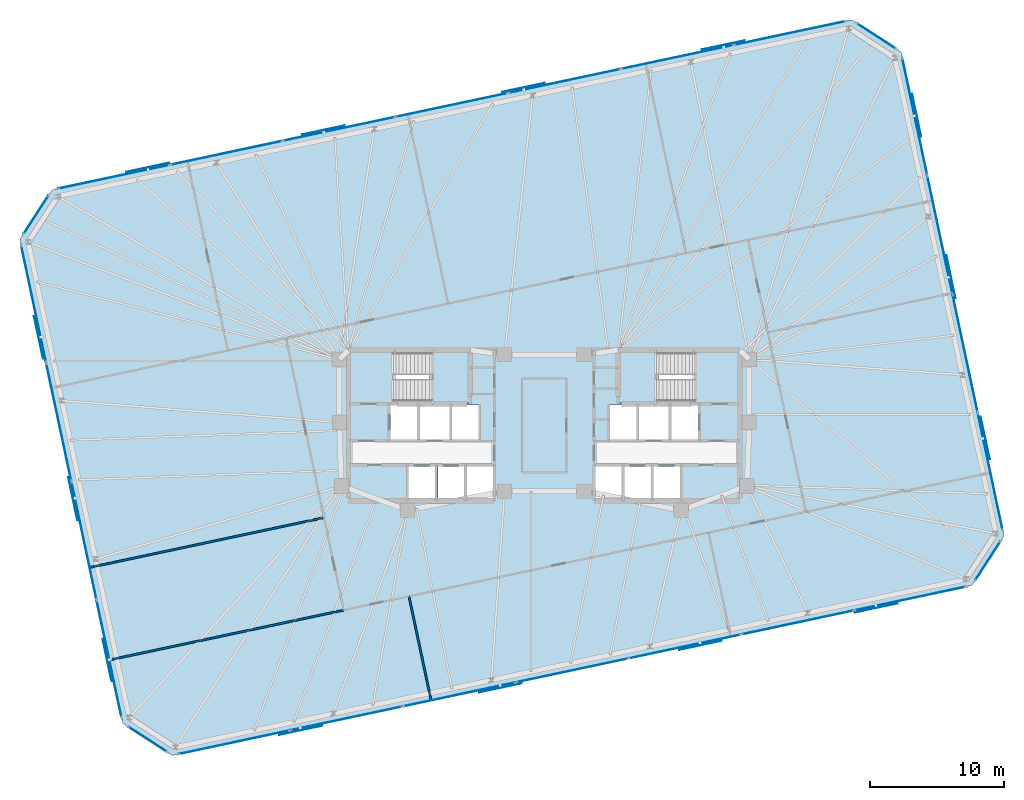
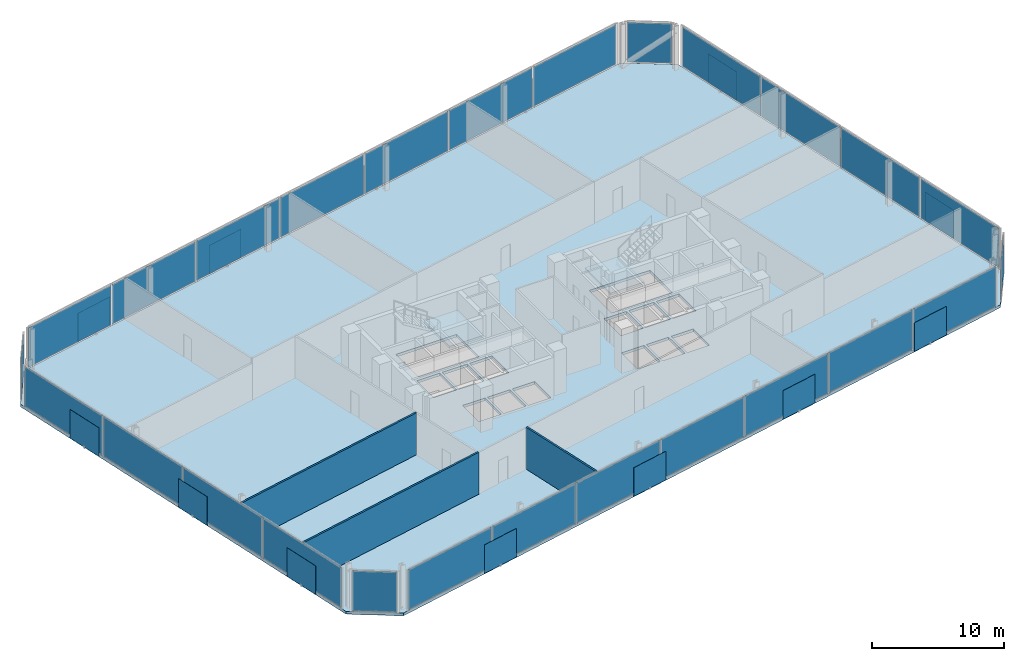
# One storey, part 10 of 15: 40 plates, 3 slabs, 3 walls, 10 elements without a shape of their own.
"""IFC4 building model written with IfcOpenShell, lengths in metres."""

import ifcopenshell
import ifcopenshell.guid

model = None  # the IFC model being written
_history = None  # IfcOwnerHistory: only IFC2X3 demands one
_inside = {}  # id of a spatial element -> (the spatial element, [elements in it])
_under = {}  # id of a project, library or spatial element -> (it, [spatial elements below it])
_declared = {}  # id of a project -> (the project, [libraries it declares])
_typed = {}  # id of a type object -> (the type object, [elements of that type])
_made_of = {}  # id of a material, layer set ... -> (it, [elements and type objects made of it])


def new_model(schema):
    """Start an empty IFC model of exactly this schema.

    Asked for "IFC4X3", IfcOpenShell would pick the latest addendum, in which some entities
    have other attributes; the version numbers below select the first issue.
    IFC2X3 requires an IfcOwnerHistory on every rooted entity: one is made here for all.
    """
    global model, _history
    if schema == "IFC4X3":
        model = ifcopenshell.file(schema_version=(4, 3, 0, 0))
    else:
        model = ifcopenshell.file(schema=schema)
    _inside.clear()
    _under.clear()
    _declared.clear()
    _typed.clear()
    _made_of.clear()
    _history = None
    if model.schema == "IFC2X3":
        org = make("IfcOrganization", Name="unknown")
        user = make(
            "IfcPersonAndOrganization",
            ThePerson=make("IfcPerson", FamilyName="unknown"),
            TheOrganization=org,
        )
        app = make(
            "IfcApplication",
            ApplicationDeveloper=org,
            Version="unknown",
            ApplicationFullName="unknown",
            ApplicationIdentifier="unknown",
        )
        _history = make(
            "IfcOwnerHistory",
            OwningUser=user,
            OwningApplication=app,
            ChangeAction="ADDED",
            CreationDate=0,
        )
    return model


def make(cls, **values):
    """One entity of the class cls with the attributes given. An attribute that is None is left unset."""
    return model.create_entity(
        cls, **{name: value for name, value in values.items() if value is not None}
    )


def rooted(cls, **values):
    """An entity with a GlobalId (a new one), such as an element, a storey or a relation."""
    return make(cls, GlobalId=ifcopenshell.guid.new(), OwnerHistory=_history, **values)


def si_unit(unit_type, name, prefix=None):
    """IfcSIUnit, for example si_unit("LENGTHUNIT", "METRE", prefix="MILLI")."""
    return make("IfcSIUnit", UnitType=unit_type, Prefix=prefix, Name=name)


def assignment(units):
    """IfcUnitAssignment: the units of a project."""
    return None if units is None else make("IfcUnitAssignment", Units=units)


def point(xyz):
    """IfcCartesianPoint."""
    return None if xyz is None else make("IfcCartesianPoint", Coordinates=xyz)


def direction(xyz):
    """IfcDirection."""
    return None if xyz is None else make("IfcDirection", DirectionRatios=xyz)


def frame(location, z_axis=None, x_axis=None):
    """IfcAxis2Placement3D, a coordinate frame: its origin and axes. An axis left out is left unset."""
    return make(
        "IfcAxis2Placement3D",
        Location=point(location),
        Axis=direction(z_axis),
        RefDirection=direction(x_axis),
    )


def frame_2d(location, x_axis=None):
    """IfcAxis2Placement2D, a coordinate frame in the plane: its origin and x axis."""
    return make(
        "IfcAxis2Placement2D", Location=point(location), RefDirection=direction(x_axis)
    )


def origin():
    """The frame at (0, 0, 0) with its axes left unset."""
    return frame((0.0, 0.0, 0.0))


def origin_2d():
    """The frame at (0, 0) in the plane with its x axis left unset."""
    return frame_2d((0.0, 0.0))


def place(relative_to, where):
    """IfcLocalPlacement: puts the frame where relative to a parent placement (None: the world)."""
    return make(
        "IfcLocalPlacement", PlacementRelTo=relative_to, RelativePlacement=where
    )


def context(
    kind, dimensions, precision=None, world=None, true_north=None, identifier=None
):
    """IfcGeometricRepresentationContext, for example the 3D "Model" context."""
    return make(
        "IfcGeometricRepresentationContext",
        ContextIdentifier=identifier,
        ContextType=kind,
        CoordinateSpaceDimension=dimensions,
        Precision=precision,
        WorldCoordinateSystem=world,
        TrueNorth=true_north,
    )


def subcontext(parent, identifier, kind, view, scale=None):
    """IfcGeometricRepresentationSubContext, for example "Body" below "Model"."""
    return make(
        "IfcGeometricRepresentationSubContext",
        ContextIdentifier=identifier,
        ContextType=kind,
        ParentContext=parent,
        TargetScale=scale,
        TargetView=view,
    )


def project(units=None, contexts=None):
    """IfcProject with its units and contexts."""
    return rooted(
        "IfcProject",
        Name="project",
        RepresentationContexts=contexts,
        UnitsInContext=assignment(units),
    )


def spatial(cls, under=None, at=None, **own):
    """A site, building, storey or space (cls), placed at a placement, below another one or the project."""
    s = rooted(cls, ObjectPlacement=at, **own)
    if under is not None:
        _under.setdefault(under.id(), (under, []))[1].append(s)
    return s


def polyline(points):
    """IfcPolyline through the points."""
    return make("IfcPolyline", Points=[point(p) for p in points])


def profile(cls, at=None, kind="AREA", **sizes):
    """A parametric profile (cls). Its sizes go by their IFC names, for example OverallWidth=200.0."""
    return make(cls, ProfileType=kind, Position=at, **sizes)


def rectangle(**sizes):
    """IfcRectangleProfileDef."""
    return profile("IfcRectangleProfileDef", **sizes)


def outline(outer, holes=None, kind="AREA"):
    """IfcArbitraryClosedProfileDef: a profile drawn as a closed curve; with holes, ...WithVoids."""
    if holes is None:
        return make("IfcArbitraryClosedProfileDef", ProfileType=kind, OuterCurve=outer)
    return make(
        "IfcArbitraryProfileDefWithVoids",
        ProfileType=kind,
        OuterCurve=outer,
        InnerCurves=holes,
    )


def extrude(swept, where, along, depth):
    """IfcExtrudedAreaSolid: the profile swept, set in the frame where, extruded along a direction by depth."""
    return make(
        "IfcExtrudedAreaSolid",
        SweptArea=swept,
        Position=where,
        ExtrudedDirection=direction(along),
        Depth=depth,
    )


def shape(context_of_items, identifier, shape_type, items):
    """IfcShapeRepresentation: the items that make up one representation, for example the "Body"."""
    return make(
        "IfcShapeRepresentation",
        ContextOfItems=context_of_items,
        RepresentationIdentifier=identifier,
        RepresentationType=shape_type,
        Items=items,
    )


def material(Name=None, Category=None):
    """IfcMaterial."""
    return make("IfcMaterial", Name=Name, Category=Category)


def layer(
    of_material, thickness, ventilated=None, Name=None, Category=None, Priority=None
):
    """IfcMaterialLayer: one layer of a wall or slab, of a material (None: an air gap)."""
    return make(
        "IfcMaterialLayer",
        Material=of_material,
        LayerThickness=thickness,
        IsVentilated=ventilated,
        Name=Name,
        Category=Category,
        Priority=Priority,
    )


def layer_set(layers, Name=None):
    """IfcMaterialLayerSet."""
    return make("IfcMaterialLayerSet", MaterialLayers=layers, LayerSetName=Name)


def made_of(thing, what):
    """Note that an element or type object is made of a material, layer set ...; save() writes the relation."""
    if what is not None:
        _made_of.setdefault(what.id(), (what, []))[1].append(thing)
    return thing


def type_object(cls, material=None, **own):
    """A type object (cls), such as IfcWallType, which elements share."""
    return made_of(rooted(cls, **own), material)


def element(
    cls,
    number,
    at=None,
    inside=None,
    cuts=None,
    type_object=None,
    material=None,
    context=None,
    identifier="Body",
    shape_type=None,
    held_by="IfcProductDefinitionShape",
    body=None,
    shapes=None,
    **own,
):
    """One element of the class cls, such as IfcWall. Its Tag is "e" and its number.

    at: its placement. inside: the storey or other place that contains it. cuts: it is an
    opening in that element (IfcRelVoidsElement). A single representation is given by context,
    identifier, shape_type and body (its items); several are given by shapes. held_by: the class
    of the entity that holds the representations. save() writes the other relations.
    """
    e = rooted(cls, Tag="e%d" % number, ObjectPlacement=at, **own)
    if body is not None:
        shapes = [shape(context, identifier, shape_type, body)]
    if shapes is not None:
        e.Representation = make(held_by, Representations=shapes)
    if inside is not None:
        _inside.setdefault(inside.id(), (inside, []))[1].append(e)
    if cuts is not None:
        rooted(
            "IfcRelVoidsElement", RelatingBuildingElement=cuts, RelatedOpeningElement=e
        )
    if type_object is not None:
        _typed.setdefault(type_object.id(), (type_object, []))[1].append(e)
    return made_of(e, material)


def aggregate(whole, parts):
    """IfcRelAggregates: a whole, such as a stair, and the parts it consists of."""
    return rooted("IfcRelAggregates", RelatingObject=whole, RelatedObjects=parts)


def save(model, path):
    """Write the relations noted so far, then the file.

    IfcRelAggregates (storeys below a building ...), IfcRelContainedInSpatialStructure (elements
    in a storey), IfcRelDefinesByType, IfcRelAssociatesMaterial and IfcRelDeclares: one each for
    every whole, place, type object, material and project.
    """
    for whole, parts in _under.values():
        aggregate(whole, parts)
    for where, things in _inside.values():
        rooted(
            "IfcRelContainedInSpatialStructure",
            RelatedElements=things,
            RelatingStructure=where,
        )
    for kind, things in _typed.values():
        rooted("IfcRelDefinesByType", RelatedObjects=things, RelatingType=kind)
    for what, things in _made_of.values():
        rooted("IfcRelAssociatesMaterial", RelatedObjects=things, RelatingMaterial=what)
    for by, libraries in _declared.values():
        rooted("IfcRelDeclares", RelatingContext=by, RelatedDefinitions=libraries)
    model.write(path)


model = new_model("IFC4")

# Units and contexts
model_context = context("Model", 3, precision=1e-05, world=origin(), true_north=direction((0.0, 1.0)))
body_context = subcontext(model_context, "Body", "Model", "MODEL_VIEW")
ifc_project = project(units=[si_unit("LENGTHUNIT", "METRE"), si_unit("AREAUNIT", "SQUARE_METRE"), si_unit("VOLUMEUNIT", "CUBIC_METRE"), si_unit("PLANEANGLEUNIT", "RADIAN"), si_unit("MASSUNIT", "GRAM", prefix="KILO")], contexts=[model_context])

# Site, building, storey
site_placement = place(None, origin())
site = spatial("IfcSite", under=ifc_project, at=site_placement, CompositionType="ELEMENT")
building_placement = place(site_placement, origin())
building = spatial("IfcBuilding", under=site, at=building_placement, Name="Menara Jurai Vektor", CompositionType="ELEMENT")
storey_placement = place(building_placement, frame((0.0, 0.0, 147.300048828125)))
storey = spatial("IfcBuildingStorey", under=building, at=storey_placement, Name="L37", CompositionType="ELEMENT", Elevation=147.300048828125)

# Curtain wall, plate
ifc_material_1 = material(Name="Anodised Pale Aluminium & Low-E Double Glazing", Category="aluminium")
curtain_wall_type = type_object("IfcCurtainWallType", Name="CW-SKY", PredefinedType="NOTDEFINED", material=ifc_material_1)
curtain_wall_1_placement = place(storey_placement, origin())
curtain_wall_1 = element("IfcCurtainWall", 1, at=curtain_wall_1_placement, inside=storey, type_object=curtain_wall_type, Name="Unitised Curtain Wall L37 F02", PredefinedType="NOTDEFINED")
ifc_material_2 = material(Name="Insulated Pale Aluminium Spandrel Panel", Category="aluminium")
ifc_layer_1 = layer(ifc_material_2, 0.06005859375)
ifc_layer_set_1 = layer_set([ifc_layer_1], Name="Insulated Pale Aluminium Spandrel Panel")
plate_type_1 = type_object("IfcPlateType", Name="CW-PNL-SP", PredefinedType="CURTAIN_PANEL", material=ifc_layer_set_1)
plate_1_placement = place(storey_placement, frame((32.999755859375, -10.0712890625, 0.10986328125), z_axis=(0.0, 0.0, 1.0), x_axis=(0.544617794346, 0.838684361415, 0.0)))
plate_1 = element("IfcPlate", 2, at=plate_1_placement, type_object=plate_type_1, Name="CW-06 panel 1.1", PredefinedType="CURTAIN_PANEL", context=body_context, shape_type="SweptSolid", body=[
    extrude(rectangle(XDim=3.404052734375, YDim=0.06005859375, at=origin_2d()), origin(), (0.0, 0.0, 1.0), 3.655029296875),
])
aggregate(curtain_wall_1, [plate_1])

curtain_wall_2_placement = place(storey_placement, origin())
curtain_wall_2 = element("IfcCurtainWall", 3, at=curtain_wall_2_placement, inside=storey, type_object=curtain_wall_type, Name="Unitised Curtain Wall L37 F04", PredefinedType="NOTDEFINED")
plate_2_placement = place(storey_placement, frame((24.7041015625, 28.956787109375, 0.10986328125), z_axis=(0.0, 0.0, 1.0), x_axis=(-0.838684361415, 0.544617794346, 0.0)))
plate_2 = element("IfcPlate", 4, at=plate_2_placement, type_object=plate_type_1, Name="CW-06 panel 1.1", PredefinedType="CURTAIN_PANEL", context=body_context, shape_type="SweptSolid", body=[
    extrude(rectangle(XDim=3.404052734375, YDim=0.06005859375, at=origin_2d()), origin(), (0.0, 0.0, 1.0), 3.655029296875),
])
aggregate(curtain_wall_2, [plate_2])

curtain_wall_3_placement = place(storey_placement, origin())
curtain_wall_3 = element("IfcCurtainWall", 5, at=curtain_wall_3_placement, inside=storey, type_object=curtain_wall_type, Name="Unitised Curtain Wall L37 F06", PredefinedType="NOTDEFINED")
plate_3_placement = place(storey_placement, frame((-37.799560546875, 15.67138671875, 0.10986328125), z_axis=(0.0, 0.0, 1.0), x_axis=(-0.544617794346, -0.838684361415, 0.0)))
plate_3 = element("IfcPlate", 6, at=plate_3_placement, type_object=plate_type_1, Name="CW-06 panel 1.1", PredefinedType="CURTAIN_PANEL", context=body_context, shape_type="SweptSolid", body=[
    extrude(rectangle(XDim=3.404052734375, YDim=0.06005859375, at=origin_2d()), origin(), (0.0, 0.0, 1.0), 3.655029296875),
])
aggregate(curtain_wall_3, [plate_3])

curtain_wall_4_placement = place(storey_placement, origin())
curtain_wall_4 = element("IfcCurtainWall", 7, at=curtain_wall_4_placement, inside=storey, type_object=curtain_wall_type, Name="Unitised Curtain Wall L37 F08", PredefinedType="NOTDEFINED")
plate_4_placement = place(storey_placement, frame((-29.50390625, -23.35693359375, 0.10986328125), z_axis=(0.0, 0.0, 1.0), x_axis=(0.838684361415, -0.544617794346, 0.0)))
plate_4 = element("IfcPlate", 8, at=plate_4_placement, type_object=plate_type_1, Name="CW-06 panel 1.1", PredefinedType="CURTAIN_PANEL", context=body_context, shape_type="SweptSolid", body=[
    extrude(rectangle(XDim=3.404052734375, YDim=0.06005859375, at=origin_2d()), origin(), (0.0, 0.0, 1.0), 3.655029296875),
])
aggregate(curtain_wall_4, [plate_4])

# Curtain wall, plates
curtain_wall_5_placement = place(storey_placement, origin())
curtain_wall_5 = element("IfcCurtainWall", 9, at=curtain_wall_5_placement, inside=storey, type_object=curtain_wall_type, Name="Unitised Curtain Wall L37 F01", PredefinedType="NOTDEFINED")
ifc_material_3 = material(Name="Low-E Solar-Control Double Glazed Unit", Category="glass")
ifc_layer_2 = layer(ifc_material_3, 0.0419921875)
ifc_layer_set_2 = layer_set([ifc_layer_2], Name="Low-E Solar-Control Double Glazed Unit")
plate_type_2 = type_object("IfcPlateType", Name="CW-SKY-PNL", PredefinedType="CURTAIN_PANEL", material=ifc_layer_set_2)
plate_5_placement = place(storey_placement, frame((-23.072265625, -23.57421875, 0.10986328125), z_axis=(0.0, 0.0, 1.0), x_axis=(0.978147674419, 0.207911344156, 0.0)))
plate_5 = element("IfcPlate", 10, at=plate_5_placement, type_object=plate_type_2, Name="CW-06 panel 1.1", PredefinedType="CURTAIN_PANEL", context=body_context, shape_type="SweptSolid", body=[
    extrude(rectangle(XDim=8.412109375, YDim=0.0419921875, at=origin_2d()), origin(), (0.0, 0.0, 1.0), 3.655029296875),
])
plate_6_placement = place(storey_placement, frame((-14.709228515625, -21.796875, 0.10986328125), z_axis=(0.0, 0.0, 1.0), x_axis=(0.978147674419, 0.207911344156, 0.0)))
plate_6 = element("IfcPlate", 11, at=plate_6_placement, type_object=plate_type_2, Name="CW-06 panel 2.1", PredefinedType="CURTAIN_PANEL", context=body_context, shape_type="SweptSolid", body=[
    extrude(rectangle(XDim=8.467041015625, YDim=0.0419921875, at=origin_2d()), origin(), (0.0, 0.0, 1.0), 3.655029296875),
])
plate_7_placement = place(storey_placement, frame((-6.319580078125, -20.013427734375, 0.10986328125), z_axis=(0.0, 0.0, 1.0), x_axis=(0.978147674419, 0.207911344156, 0.0)))
plate_7 = element("IfcPlate", 12, at=plate_7_placement, type_object=plate_type_2, Name="CW-06 panel 3.1", PredefinedType="CURTAIN_PANEL", context=body_context, shape_type="SweptSolid", body=[
    extrude(rectangle(XDim=8.467041015625, YDim=0.0419921875, at=origin_2d()), origin(), (0.0, 0.0, 1.0), 3.655029296875),
])
plate_8_placement = place(storey_placement, frame((2.070068359375, -18.230224609375, 0.10986328125), z_axis=(0.0, 0.0, 1.0), x_axis=(0.978147674419, 0.207911344156, 0.0)))
plate_8 = element("IfcPlate", 13, at=plate_8_placement, type_object=plate_type_2, Name="CW-06 panel 4.1", PredefinedType="CURTAIN_PANEL", context=body_context, shape_type="SweptSolid", body=[
    extrude(rectangle(XDim=8.467041015625, YDim=0.0419921875, at=origin_2d()), origin(), (0.0, 0.0, 1.0), 3.655029296875),
])
plate_9_placement = place(storey_placement, frame((10.459716796875, -16.447021484375, 0.10986328125), z_axis=(0.0, 0.0, 1.0), x_axis=(0.978147674419, 0.207911344156, 0.0)))
plate_9 = element("IfcPlate", 14, at=plate_9_placement, type_object=plate_type_2, Name="CW-06 panel 5.1", PredefinedType="CURTAIN_PANEL", context=body_context, shape_type="SweptSolid", body=[
    extrude(rectangle(XDim=8.467041015625, YDim=0.0419921875, at=origin_2d()), origin(), (0.0, 0.0, 1.0), 3.655029296875),
])
plate_10_placement = place(storey_placement, frame((18.849609375, -14.66357421875, 0.10986328125), z_axis=(0.0, 0.0, 1.0), x_axis=(0.978147674419, 0.207911344156, 0.0)))
plate_10 = element("IfcPlate", 15, at=plate_10_placement, type_object=plate_type_2, Name="CW-06 panel 6.1", PredefinedType="CURTAIN_PANEL", context=body_context, shape_type="SweptSolid", body=[
    extrude(rectangle(XDim=8.467041015625, YDim=0.0419921875, at=origin_2d()), origin(), (0.0, 0.0, 1.0), 3.655029296875),
])
plate_11_placement = place(storey_placement, frame((27.21240234375, -12.885986328125, 0.10986328125), z_axis=(0.0, 0.0, 1.0), x_axis=(0.978147674419, 0.207911344156, 0.0)))
plate_11 = element("IfcPlate", 16, at=plate_11_placement, type_object=plate_type_2, Name="CW-06 panel 7.1", PredefinedType="CURTAIN_PANEL", context=body_context, shape_type="SweptSolid", body=[
    extrude(rectangle(XDim=8.412109375, YDim=0.0419921875, at=origin_2d()), origin(), (0.0, 0.0, 1.0), 3.655029296875),
])
aggregate(curtain_wall_5, [plate_5, plate_6, plate_7, plate_8, plate_9, plate_10, plate_11])

curtain_wall_6_placement = place(storey_placement, origin())
curtain_wall_6 = element("IfcCurtainWall", 17, at=curtain_wall_6_placement, inside=storey, type_object=curtain_wall_type, Name="Unitised Curtain Wall L37 F03", PredefinedType="NOTDEFINED")
plate_12_placement = place(storey_placement, frame((33.172119140625, -3.427734375, 0.10986328125), z_axis=(0.0, 0.0, 1.0), x_axis=(-0.20791035839, 0.978147883949, 0.0)))
plate_12 = element("IfcPlate", 18, at=plate_12_placement, type_object=plate_type_2, Name="CW-06 panel 1.1", PredefinedType="CURTAIN_PANEL", context=body_context, shape_type="SweptSolid", body=[
    extrude(rectangle(XDim=8.844970703125, YDim=0.0419921875, at=origin_2d()), origin(), (0.0, 0.0, 1.0), 3.655029296875),
])
plate_13_placement = place(storey_placement, frame((31.3046875, 5.3583984375, 0.10986328125), z_axis=(0.0, 0.0, 1.0), x_axis=(-0.20791035839, 0.978147883949, 0.0)))
plate_13 = element("IfcPlate", 19, at=plate_13_placement, type_object=plate_type_2, Name="CW-06 panel 2.1", PredefinedType="CURTAIN_PANEL", context=body_context, shape_type="SweptSolid", body=[
    extrude(rectangle(XDim=8.89990234375, YDim=0.0419921875, at=origin_2d()), origin(), (0.0, 0.0, 1.0), 3.655029296875),
])
plate_14_placement = place(storey_placement, frame((29.431396484375, 14.171630859375, 0.10986328125), z_axis=(0.0, 0.0, 1.0), x_axis=(-0.20791035839, 0.978147883949, 0.0)))
plate_14 = element("IfcPlate", 20, at=plate_14_placement, type_object=plate_type_2, Name="CW-06 panel 3.1", PredefinedType="CURTAIN_PANEL", context=body_context, shape_type="SweptSolid", body=[
    extrude(rectangle(XDim=8.89990234375, YDim=0.0419921875, at=origin_2d()), origin(), (0.0, 0.0, 1.0), 3.655029296875),
])
plate_15_placement = place(storey_placement, frame((27.563720703125, 22.957763671875, 0.10986328125), z_axis=(0.0, 0.0, 1.0), x_axis=(-0.20791035839, 0.978147883949, 0.0)))
plate_15 = element("IfcPlate", 21, at=plate_15_placement, type_object=plate_type_2, Name="CW-06 panel 4.1", PredefinedType="CURTAIN_PANEL", context=body_context, shape_type="SweptSolid", body=[
    extrude(rectangle(XDim=8.844970703125, YDim=0.0419921875, at=origin_2d()), origin(), (0.0, 0.0, 1.0), 3.655029296875),
])
aggregate(curtain_wall_6, [plate_12, plate_13, plate_14, plate_15])

curtain_wall_7_placement = place(storey_placement, origin())
curtain_wall_7 = element("IfcCurtainWall", 22, at=curtain_wall_7_placement, inside=storey, type_object=curtain_wall_type, Name="Unitised Curtain Wall L37 F05", PredefinedType="NOTDEFINED")
plate_16_placement = place(storey_placement, frame((18.272216796875, 29.17431640625, 0.10986328125), z_axis=(0.0, 0.0, 1.0), x_axis=(-0.978147674419, -0.207911344156, 0.0)))
plate_16 = element("IfcPlate", 23, at=plate_16_placement, type_object=plate_type_2, Name="CW-06 panel 1.1", PredefinedType="CURTAIN_PANEL", context=body_context, shape_type="SweptSolid", body=[
    extrude(rectangle(XDim=8.412109375, YDim=0.0419921875, at=origin_2d()), origin(), (0.0, 0.0, 1.0), 3.655029296875),
])
plate_17_placement = place(storey_placement, frame((9.909423828125, 27.396728515625, 0.10986328125), z_axis=(0.0, 0.0, 1.0), x_axis=(-0.978147674419, -0.207911344156, 0.0)))
plate_17 = element("IfcPlate", 24, at=plate_17_placement, type_object=plate_type_2, Name="CW-06 panel 2.1", PredefinedType="CURTAIN_PANEL", context=body_context, shape_type="SweptSolid", body=[
    extrude(rectangle(XDim=8.467041015625, YDim=0.0419921875, at=origin_2d()), origin(), (0.0, 0.0, 1.0), 3.655029296875),
])
plate_18_placement = place(storey_placement, frame((1.51953125, 25.613525390625, 0.10986328125), z_axis=(0.0, 0.0, 1.0), x_axis=(-0.978147674419, -0.207911344156, 0.0)))
plate_18 = element("IfcPlate", 25, at=plate_18_placement, type_object=plate_type_2, Name="CW-06 panel 3.1", PredefinedType="CURTAIN_PANEL", context=body_context, shape_type="SweptSolid", body=[
    extrude(rectangle(XDim=8.467041015625, YDim=0.0419921875, at=origin_2d()), origin(), (0.0, 0.0, 1.0), 3.655029296875),
])
plate_19_placement = place(storey_placement, frame((-6.8701171875, 23.830078125, 0.10986328125), z_axis=(0.0, 0.0, 1.0), x_axis=(-0.978147674419, -0.207911344156, 0.0)))
plate_19 = element("IfcPlate", 26, at=plate_19_placement, type_object=plate_type_2, Name="CW-06 panel 4.1", PredefinedType="CURTAIN_PANEL", context=body_context, shape_type="SweptSolid", body=[
    extrude(rectangle(XDim=8.467041015625, YDim=0.0419921875, at=origin_2d()), origin(), (0.0, 0.0, 1.0), 3.655029296875),
])
plate_20_placement = place(storey_placement, frame((-15.259765625, 22.046875, 0.10986328125), z_axis=(0.0, 0.0, 1.0), x_axis=(-0.978147674419, -0.207911344156, 0.0)))
plate_20 = element("IfcPlate", 27, at=plate_20_placement, type_object=plate_type_2, Name="CW-06 panel 5.1", PredefinedType="CURTAIN_PANEL", context=body_context, shape_type="SweptSolid", body=[
    extrude(rectangle(XDim=8.467041015625, YDim=0.0419921875, at=origin_2d()), origin(), (0.0, 0.0, 1.0), 3.655029296875),
])
plate_21_placement = place(storey_placement, frame((-23.6494140625, 20.263671875, 0.10986328125), z_axis=(0.0, 0.0, 1.0), x_axis=(-0.978147674419, -0.207911344156, 0.0)))
plate_21 = element("IfcPlate", 28, at=plate_21_placement, type_object=plate_type_2, Name="CW-06 panel 6.1", PredefinedType="CURTAIN_PANEL", context=body_context, shape_type="SweptSolid", body=[
    extrude(rectangle(XDim=8.467041015625, YDim=0.0419921875, at=origin_2d()), origin(), (0.0, 0.0, 1.0), 3.655029296875),
])
plate_22_placement = place(storey_placement, frame((-32.012451171875, 18.486083984375, 0.10986328125), z_axis=(0.0, 0.0, 1.0), x_axis=(-0.978147674419, -0.207911344156, 0.0)))
plate_22 = element("IfcPlate", 29, at=plate_22_placement, type_object=plate_type_2, Name="CW-06 panel 7.1", PredefinedType="CURTAIN_PANEL", context=body_context, shape_type="SweptSolid", body=[
    extrude(rectangle(XDim=8.412109375, YDim=0.0419921875, at=origin_2d()), origin(), (0.0, 0.0, 1.0), 3.655029296875),
])
aggregate(curtain_wall_7, [plate_16, plate_17, plate_18, plate_19, plate_20, plate_21, plate_22])

curtain_wall_8_placement = place(storey_placement, origin())
curtain_wall_8 = element("IfcCurtainWall", 30, at=curtain_wall_8_placement, inside=storey, type_object=curtain_wall_type, Name="Unitised Curtain Wall L37 F07", PredefinedType="NOTDEFINED")
plate_23_placement = place(storey_placement, frame((-37.97216796875, 9.02783203125, 0.10986328125), z_axis=(0.0, 0.0, 1.0), x_axis=(0.20791035839, -0.978147883949, 0.0)))
plate_23 = element("IfcPlate", 31, at=plate_23_placement, type_object=plate_type_2, Name="CW-06 panel 1.1", PredefinedType="CURTAIN_PANEL", context=body_context, shape_type="SweptSolid", body=[
    extrude(rectangle(XDim=8.844970703125, YDim=0.0419921875, at=origin_2d()), origin(), (0.0, 0.0, 1.0), 3.655029296875),
])
plate_24_placement = place(storey_placement, frame((-36.1044921875, 0.241455078125, 0.10986328125), z_axis=(0.0, 0.0, 1.0), x_axis=(0.20791035839, -0.978147883949, 0.0)))
plate_24 = element("IfcPlate", 32, at=plate_24_placement, type_object=plate_type_2, Name="CW-06 panel 2.1", PredefinedType="CURTAIN_PANEL", context=body_context, shape_type="SweptSolid", body=[
    extrude(rectangle(XDim=8.89990234375, YDim=0.0419921875, at=origin_2d()), origin(), (0.0, 0.0, 1.0), 3.655029296875),
])
plate_25_placement = place(storey_placement, frame((-34.231201171875, -8.571533203125, 0.10986328125), z_axis=(0.0, 0.0, 1.0), x_axis=(0.20791035839, -0.978147883949, 0.0)))
plate_25 = element("IfcPlate", 33, at=plate_25_placement, type_object=plate_type_2, Name="CW-06 panel 3.1", PredefinedType="CURTAIN_PANEL", context=body_context, shape_type="SweptSolid", body=[
    extrude(rectangle(XDim=8.89990234375, YDim=0.0419921875, at=origin_2d()), origin(), (0.0, 0.0, 1.0), 3.655029296875),
])
plate_26_placement = place(storey_placement, frame((-32.36376953125, -17.35791015625, 0.10986328125), z_axis=(0.0, 0.0, 1.0), x_axis=(0.20791035839, -0.978147883949, 0.0)))
plate_26 = element("IfcPlate", 34, at=plate_26_placement, type_object=plate_type_2, Name="CW-06 panel 4.1", PredefinedType="CURTAIN_PANEL", context=body_context, shape_type="SweptSolid", body=[
    extrude(rectangle(XDim=8.844970703125, YDim=0.0419921875, at=origin_2d()), origin(), (0.0, 0.0, 1.0), 3.655029296875),
])
aggregate(curtain_wall_8, [plate_23, plate_24, plate_25, plate_26])

# Plates
ifc_material_4 = material(Name="Anodised Pale Aluminium Perforated Screen", Category="aluminium")
ifc_layer_3 = layer(ifc_material_4, 0.02294921875)
ifc_layer_set_3 = layer_set([ifc_layer_3], Name="Anodised Pale Aluminium Perforated Screen")
plate_type_3 = type_object("IfcPlateType", Name="ENV-PLT-SCREEN-MID", PredefinedType="USERDEFINED", material=ifc_layer_set_3)
for number, where, z_axis, x_axis, name in (
    (35, (-18.116943359375, -22.6845703125, -0.050048828125), (0.0, 0.0, 1.0), (0.978147600734, 0.207911690818, 0.0), "Perforated Pale-Metal Solar Screen L37-S01"),
    (36, (-3.2490234375, -19.5244140625, -0.050048828125), (0.0, 0.0, 1.0), (0.978147600734, 0.207911690818, 0.0), "Perforated Pale-Metal Solar Screen L37-S02"),
    (37, (11.618896484375, -16.364013671875, -0.050048828125), (0.0, 0.0, 1.0), (0.978147600734, 0.207911690818, 0.0), "Perforated Pale-Metal Solar Screen L37-S03"),
    (38, (24.702392578125, -13.5830078125, -0.050048828125), (0.0, 0.0, 1.0), (0.978147600734, 0.207911690818, 0.0), "Perforated Pale-Metal Solar Screen L37-S04"),
    (39, (32.806884765625, -0.9404296875, -0.050048828125), (0.0, 0.0, 1.0), (-0.207911690818, 0.978147600734, 0.0), "Perforated Pale-Metal Solar Screen L37-S05"),
    (40, (30.256591796875, 11.05810546875, -0.050048828125), (0.0, 0.0, 1.0), (-0.207911690818, 0.978147600734, 0.0), "Perforated Pale-Metal Solar Screen L37-S06"),
    (41, (27.706298828125, 23.056884765625, -0.050048828125), (0.0, 0.0, 1.0), (-0.207911690818, 0.978147600734, 0.0), "Perforated Pale-Metal Solar Screen L37-S07"),
    (42, (13.31689453125, 28.28466796875, -0.050048828125), (0.0, 0.0, 1.0), (-0.978147600734, -0.207911690818, 0.0), "Perforated Pale-Metal Solar Screen L37-S08"),
    (43, (-1.55078125, 25.12451171875, -0.050048828125), (0.0, 0.0, 1.0), (-0.978147600734, -0.207911690818, 0.0), "Perforated Pale-Metal Solar Screen L37-S09"),
    (44, (-16.418701171875, 21.964111328125, -0.050048828125), (0.0, 0.0, 1.0), (-0.978147600734, -0.207911690818, 0.0), "Perforated Pale-Metal Solar Screen L37-S10"),
    (45, (-29.50244140625, 19.18310546875, -0.050048828125), (0.0, 0.0, 1.0), (-0.978147600734, -0.207911690818, 0.0), "Perforated Pale-Metal Solar Screen L37-S11"),
    (46, (-37.60693359375, 6.54052734375, -0.050048828125), (0.0, 0.0, 1.0), (0.207911690818, -0.978147600734, 0.0), "Perforated Pale-Metal Solar Screen L37-S12"),
    (47, (-35.056640625, -5.458251953125, -0.050048828125), (0.0, 0.0, 1.0), (0.207911690818, -0.978147600734, 0.0), "Perforated Pale-Metal Solar Screen L37-S13"),
    (48, (-32.50634765625, -17.456787109375, -0.050048828125), (0.0, 0.0, 1.0), (0.207911690818, -0.978147600734, 0.0), "Perforated Pale-Metal Solar Screen L37-S14"),
):
    element("IfcPlate", number, at=place(storey_placement, frame(where, z_axis=z_axis, x_axis=x_axis)), inside=storey, type_object=plate_type_3, Name=name, ObjectType="SCREEN", PredefinedType="USERDEFINED", context=body_context, shape_type="SweptSolid", body=[
        extrude(rectangle(XDim=3.25, YDim=0.02294921875, at=origin_2d()), origin(), (0.0, 0.0, 1.0), 2.64990234375),
    ])

# Stair, slab
ifc_material_5 = material(Name="Concrete C40/50", Category="concrete")
stair_type = type_object("IfcStairType", Name="STAIR-DOGLEG-1500", PredefinedType="HALF_TURN_STAIR", material=ifc_material_5)
stair_1_placement = place(storey_placement, origin())
stair_1 = element("IfcStair", 49, at=stair_1_placement, inside=storey, type_object=stair_type, Name="Protected Exit Stair ST1 L37", PredefinedType="HALF_TURN_STAIR")
ifc_layer_4 = layer(ifc_material_5, 0.199951171875)
ifc_layer_set_4 = layer_set([ifc_layer_4], Name="Concrete C40/50")
slab_type_1 = type_object("IfcSlabType", Name="STAIR-LANDING-200", PredefinedType="LANDING", material=ifc_layer_set_4)
slab_1_placement = place(storey_placement, frame((0.0, 0.0, 1.849853515625)))
slab_1 = element("IfcSlab", 50, at=slab_1_placement, type_object=slab_type_1, Name="ST1 landing 1", PredefinedType="LANDING", context=body_context, shape_type="SweptSolid", body=[
    extrude(outline(polyline([(-8.52001953125, 1.64990234375), (-5.550048828125, 1.64990234375), (-5.550048828125, 5.550048828125), (-8.52001953125, 5.550048828125), (-8.52001953125, 1.64990234375)])), origin(), (0.0, 0.0, 1.0), 0.2001953125),
])
aggregate(stair_1, [slab_1])

stair_2_placement = place(storey_placement, origin())
stair_2 = element("IfcStair", 51, at=stair_2_placement, inside=storey, type_object=stair_type, Name="Protected Exit Stair ST2 L37", PredefinedType="HALF_TURN_STAIR")
slab_2_placement = place(storey_placement, frame((0.0, 0.0, 1.849853515625)))
slab_2 = element("IfcSlab", 52, at=slab_2_placement, type_object=slab_type_1, Name="ST2 landing 1", PredefinedType="LANDING", context=body_context, shape_type="SweptSolid", body=[
    extrude(outline(polyline([(5.550048828125, 1.64990234375), (8.52001953125, 1.64990234375), (8.52001953125, 5.550048828125), (5.550048828125, 5.550048828125), (5.550048828125, 1.64990234375)])), origin(), (0.0, 0.0, 1.0), 0.2001953125),
])
aggregate(stair_2, [slab_2])

# Slab
ifc_layer_5 = layer(ifc_material_5, 0.25)
ifc_layer_set_5 = layer_set([ifc_layer_5], Name="Concrete C40/50")
slab_type_2 = type_object("IfcSlabType", Name="STR-SLAB-SKY250", PredefinedType="FLOOR", material=ifc_layer_set_5)
slab_3_placement = place(storey_placement, frame((0.0, 0.0, -0.25)))
element("IfcSlab", 53, at=slab_3_placement, inside=storey, type_object=slab_type_2, Name="Composite Floor Slab L37", PredefinedType="FLOOR", context=body_context, shape_type="SweptSolid", body=[
    extrude(outline(polyline([(-27.66552734375, -24.55078125), (31.805908203125, -11.90966796875), (34.193603515625, -8.23291015625), (26.54248046875, 27.762939453125), (22.865478515625, 30.150634765625), (-36.605712890625, 17.509765625), (-38.993408203125, 13.8330078125), (-31.34228515625, -22.1630859375), (-27.66552734375, -24.55078125)]), holes=[polyline([(-11.10009765625, 1.89990234375), (-11.10009765625, 5.300048828125), (-5.800048828125, 5.300048828125), (-5.800048828125, 1.89990234375), (-11.10009765625, 1.89990234375)]), polyline([(5.800048828125, 1.89990234375), (5.800048828125, 5.300048828125), (11.10009765625, 5.300048828125), (11.10009765625, 1.89990234375), (5.800048828125, 1.89990234375)]), polyline([(-11.449951171875, -1.050048828125), (-11.449951171875, 1.5), (-9.449951171875, 1.5), (-9.449951171875, -1.050048828125), (-11.449951171875, -1.050048828125)]), polyline([(9.449951171875, -1.050048828125), (9.449951171875, 1.5), (11.449951171875, 1.5), (11.449951171875, -1.050048828125), (9.449951171875, -1.050048828125)]), polyline([(-5.760009765625, -5.5), (-5.760009765625, -3.050048828125), (-3.800048828125, -3.050048828125), (-3.800048828125, -5.5), (-5.760009765625, -5.5)]), polyline([(-6.85009765625, -1.050048828125), (-6.85009765625, 1.5), (-4.889892578125, 1.5), (-4.889892578125, -1.050048828125), (-6.85009765625, -1.050048828125)]), polyline([(3.800048828125, -5.5), (3.800048828125, -3.050048828125), (5.760009765625, -3.050048828125), (5.760009765625, -5.5), (3.800048828125, -5.5)]), polyline([(4.889892578125, -1.050048828125), (4.889892578125, 1.5), (6.85009765625, 1.5), (6.85009765625, -1.050048828125), (4.889892578125, -1.050048828125)]), polyline([(-10.080078125, -5.5), (-10.080078125, -3.050048828125), (-8.1201171875, -3.050048828125), (-8.1201171875, -5.5), (-10.080078125, -5.5)]), polyline([(-7.919921875, -5.5), (-7.919921875, -3.050048828125), (-5.9599609375, -3.050048828125), (-5.9599609375, -5.5), (-7.919921875, -5.5)]), polyline([(5.9599609375, -5.5), (5.9599609375, -3.050048828125), (7.919921875, -3.050048828125), (7.919921875, -5.5), (5.9599609375, -5.5)]), polyline([(8.1201171875, -5.5), (8.1201171875, -3.050048828125), (10.080078125, -3.050048828125), (10.080078125, -5.5), (8.1201171875, -5.5)]), polyline([(-9.25, -1.050048828125), (-9.25, 1.5), (-7.050048828125, 1.5), (-7.050048828125, -1.050048828125), (-9.25, -1.050048828125)]), polyline([(7.050048828125, -1.050048828125), (7.050048828125, 1.5), (9.25, 1.5), (9.25, -1.050048828125), (7.050048828125, -1.050048828125)])]), origin(), (0.0, 0.0, 1.0), 0.25),
])

# Walls
ifc_material_6 = material(Name="Gypsum Fireboard Partition", Category="gypsum")
ifc_layer_6 = layer(ifc_material_6, 0.14990234375)
ifc_layer_set_6 = layer_set([ifc_layer_6], Name="Gypsum Fireboard Partition")
wall_type = type_object("IfcWallType", Name="INT-WALL-CORR-150", PredefinedType="PARTITIONING", material=ifc_layer_set_6)
wall_placement = place(storey_placement, frame((-8.41552734375, -20.458984375, 0.0), z_axis=(0.0, 0.0, 1.0), x_axis=(-0.207922536845, 0.978145295277, 0.0)))
element("IfcWall", 54, at=wall_placement, inside=storey, type_object=wall_type, Name="Interior Wall IW-150 L37", PredefinedType="PARTITIONING", context=body_context, shape_type="SweptSolid", body=[
    extrude(rectangle(XDim=7.919921875, YDim=0.14990234375, at=frame_2d((3.9599609375, 0.0))), origin(), (0.0, 0.0, 1.0), 3.875),
])
for number, where, z_axis, x_axis, name in (
    (55, (-32.344482421875, -17.4482421875, 0.0), (0.0, 0.0, 1.0), (0.9781469745, 0.207914636994, 0.0), "Interior Wall IW-150 L37"),
    (56, (-33.806640625, -10.569091796875, 0.0), (0.0, 0.0, 1.0), (0.9781469745, 0.207914636994, 0.0), "Interior Wall IW-150 L37"),
):
    element("IfcWall", number, at=place(storey_placement, frame(where, z_axis=z_axis, x_axis=x_axis)), inside=storey, type_object=wall_type, Name=name, PredefinedType="PARTITIONING", context=body_context, shape_type="SweptSolid", body=[
        extrude(rectangle(XDim=17.81787109375, YDim=0.14990234375, at=frame_2d((8.908935546875, 0.0))), origin(), (0.0, 0.0, 1.0), 3.875),
    ])

save(model, "model.ifc")
